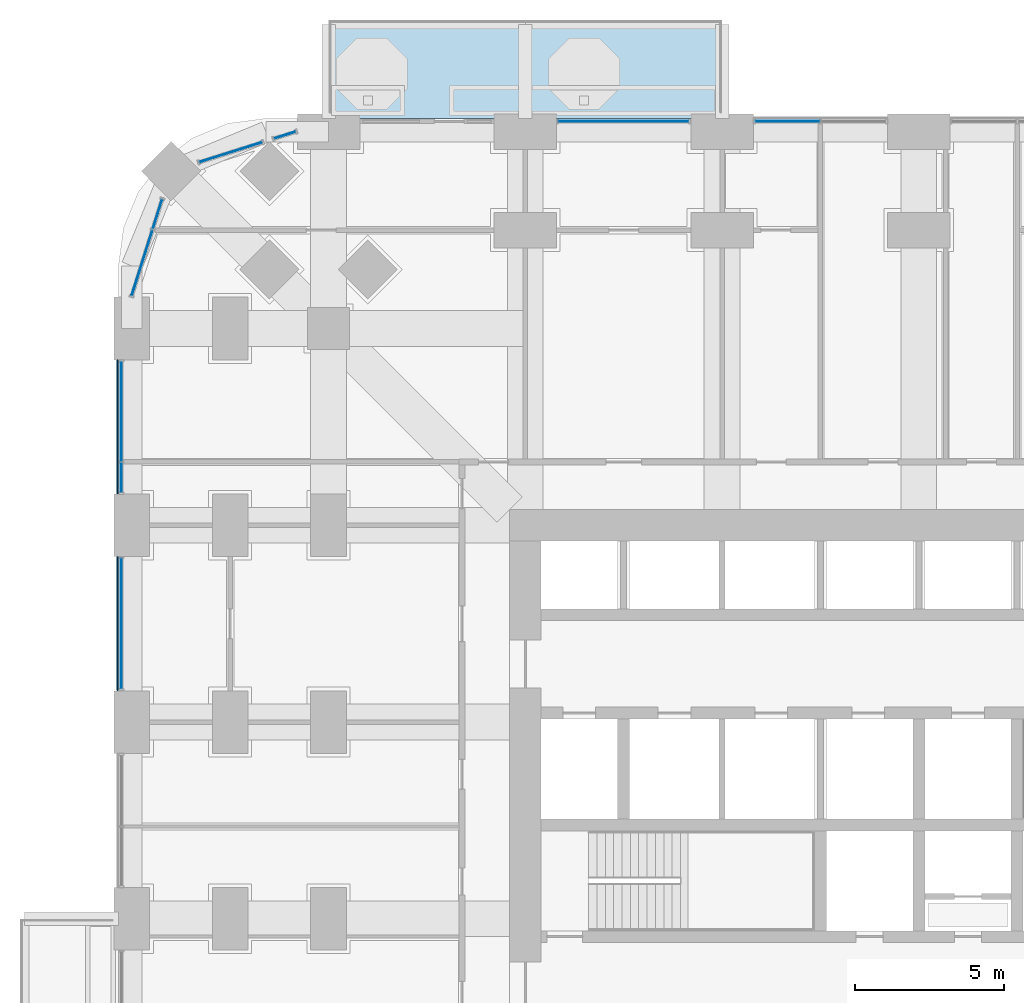
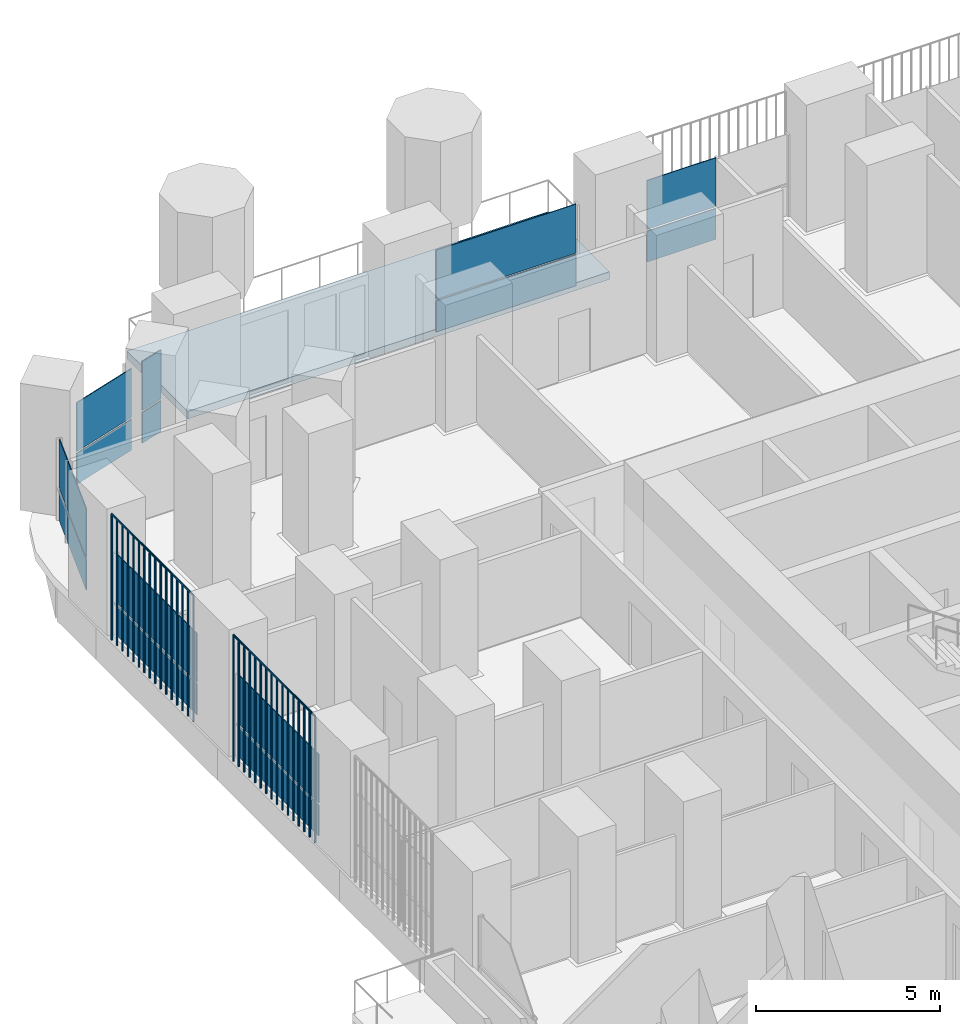
# One storey, part 15 of 27: 20 plates, 1 slab, 7 elements without a shape of their own.
"""IFC4 building model written with IfcOpenShell, lengths in metres."""

from ifc_helpers import new_model, si_unit, direction, frame, origin, origin_2d, place, context, subcontext, project, spatial, polyline, rectangle, outline, extrude, material, layer, layer_set, type_object, element, aggregate, save


model = new_model("IFC4")

# Units and contexts
model_context = context("Model", 3, precision=1e-05, world=origin(), true_north=direction((0.0, 1.0)))
body_context = subcontext(model_context, "Body", "Model", "MODEL_VIEW")
ifc_project = project(units=[si_unit("LENGTHUNIT", "METRE"), si_unit("AREAUNIT", "SQUARE_METRE"), si_unit("VOLUMEUNIT", "CUBIC_METRE"), si_unit("PLANEANGLEUNIT", "RADIAN"), si_unit("MASSUNIT", "GRAM", prefix="KILO")], contexts=[model_context])

# Site, building, storey
site_placement = place(None, origin())
site = spatial("IfcSite", under=ifc_project, at=site_placement, CompositionType="ELEMENT")
building_placement = place(site_placement, origin())
building = spatial("IfcBuilding", under=site, at=building_placement, Name="Cobogo Forest Laboratory Tower", CompositionType="ELEMENT")
storey_placement = place(building_placement, frame((0.0, 0.0, 29.699951171875)))
storey = spatial("IfcBuildingStorey", under=building, at=storey_placement, Name="L06", CompositionType="ELEMENT", Elevation=29.699951171875)

# Slab
ifc_material_1 = material(Name="Concrete HA-40 (C40/50)", Category="concrete")
ifc_layer_1 = layer(ifc_material_1, 0.25)
ifc_layer_set_1 = layer_set([ifc_layer_1], Name="Balcony slab 250")
slab_type = type_object("IfcSlabType", Name="Balcony slab 250", PredefinedType="FLOOR", material=ifc_layer_set_1)
slab_placement = place(storey_placement, frame((0.0, 0.0, -0.25)))
element("IfcSlab", 1, at=slab_placement, inside=storey, type_object=slab_type, Name="Balcony BAL-N1 L06", PredefinedType="FLOOR", context=body_context, shape_type="SweptSolid", body=[
    extrude(outline(polyline([(6.60009765625, 46.64990234375), (19.800048828125, 46.64990234375), (19.800048828125, 49.949951171875), (6.60009765625, 49.949951171875), (6.60009765625, 46.64990234375)])), origin(), (0.0, 0.0, 1.0), 0.25),
])

# Curtain wall, plates
ifc_material_2 = material(Name="Aluminium curtain wall", Category="aluminium")
curtain_wall_type = type_object("IfcCurtainWallType", Name="CW-1 unitised curtain wall, clear glazing, laboratory floors zones A and B", PredefinedType="USERDEFINED", material=ifc_material_2)
curtain_wall_1_placement = place(storey_placement, origin())
curtain_wall_1 = element("IfcCurtainWall", 2, at=curtain_wall_1_placement, inside=storey, type_object=curtain_wall_type, Name="Curtain wall 21 L06", ObjectType="UNITISED CURTAIN WALL", PredefinedType="USERDEFINED")
ifc_material_3 = material(Name="Clear insulated glass", Category="glass")
ifc_layer_2 = layer(ifc_material_3, 0.028076171875)
ifc_layer_set_2 = layer_set([ifc_layer_2], Name="GP-1 clear insulated glass unit 28")
plate_type_1 = type_object("IfcPlateType", Name="GP-1 clear insulated glass unit 28", PredefinedType="CURTAIN_PANEL", material=ifc_layer_set_2)
plate_1_placement = place(storey_placement, frame((21.989990234375, 46.550048828125, 0.0), z_axis=(0.0, 0.0, 1.0), x_axis=(-1.0, 0.0, 0.0)))
plate_1 = element("IfcPlate", 3, at=plate_1_placement, type_object=plate_type_1, Name="CW-1 panel 2.1", PredefinedType="CURTAIN_PANEL", context=body_context, shape_type="SweptSolid", body=[
    extrude(rectangle(XDim=2.159912109375, YDim=0.028076171875, at=origin_2d()), origin(), (0.0, 0.0, 1.0), 1.02001953125),
])
plate_2_placement = place(storey_placement, frame((21.989990234375, 46.550048828125, 1.080078125), z_axis=(0.0, 0.0, 1.0), x_axis=(-1.0, 0.0, 0.0)))
plate_2 = element("IfcPlate", 4, at=plate_2_placement, type_object=plate_type_1, Name="CW-1 panel 2.2", PredefinedType="CURTAIN_PANEL", context=body_context, shape_type="SweptSolid", body=[
    extrude(rectangle(XDim=2.159912109375, YDim=0.028076171875, at=origin_2d()), origin(), (0.0, 0.0, 1.0), 1.6201171875),
])
aggregate(curtain_wall_1, [plate_1, plate_2])

curtain_wall_2_placement = place(storey_placement, origin())
curtain_wall_2 = element("IfcCurtainWall", 5, at=curtain_wall_2_placement, inside=storey, type_object=curtain_wall_type, Name="Curtain wall 22 L06", ObjectType="UNITISED CURTAIN WALL", PredefinedType="USERDEFINED")
plate_3_placement = place(storey_placement, frame((16.5, 46.550048828125, 0.0), z_axis=(0.0, 0.0, 1.0), x_axis=(-1.0, 0.0, 0.0)))
plate_3 = element("IfcPlate", 6, at=plate_3_placement, type_object=plate_type_1, Name="CW-1 panel 1.1", PredefinedType="CURTAIN_PANEL", context=body_context, shape_type="SweptSolid", body=[
    extrude(rectangle(XDim=4.3798828125, YDim=0.028076171875, at=origin_2d()), origin(), (0.0, 0.0, 1.0), 1.02001953125),
])
plate_4_placement = place(storey_placement, frame((16.5, 46.550048828125, 1.080078125), z_axis=(0.0, 0.0, 1.0), x_axis=(-1.0, 0.0, 0.0)))
plate_4 = element("IfcPlate", 7, at=plate_4_placement, type_object=plate_type_1, Name="CW-1 panel 1.2", PredefinedType="CURTAIN_PANEL", context=body_context, shape_type="SweptSolid", body=[
    extrude(rectangle(XDim=4.3798828125, YDim=0.028076171875, at=origin_2d()), origin(), (0.0, 0.0, 1.0), 1.6201171875),
])
aggregate(curtain_wall_2, [plate_3, plate_4])

curtain_wall_3_placement = place(storey_placement, origin())
curtain_wall_3 = element("IfcCurtainWall", 8, at=curtain_wall_3_placement, inside=storey, type_object=curtain_wall_type, Name="Curtain wall 24 L06", ObjectType="UNITISED CURTAIN WALL", PredefinedType="USERDEFINED")
plate_5_placement = place(storey_placement, frame((5.134033203125, 46.087158203125, 0.0), z_axis=(0.0, 0.0, 1.0), x_axis=(-0.953581504428, -0.301135043481, 0.0)))
plate_5 = element("IfcPlate", 9, at=plate_5_placement, type_object=plate_type_1, Name="CW-1 panel 1.1", PredefinedType="CURTAIN_PANEL", context=body_context, shape_type="SweptSolid", body=[
    extrude(rectangle(XDim=0.75244140625, YDim=0.028076171875, at=origin_2d()), origin(), (0.0, 0.0, 1.0), 1.02001953125),
])
plate_6_placement = place(storey_placement, frame((5.134033203125, 46.087158203125, 1.080078125), z_axis=(0.0, 0.0, 1.0), x_axis=(-0.953581504428, -0.301135043481, 0.0)))
plate_6 = element("IfcPlate", 10, at=plate_6_placement, type_object=plate_type_1, Name="CW-1 panel 1.2", PredefinedType="CURTAIN_PANEL", context=body_context, shape_type="SweptSolid", body=[
    extrude(rectangle(XDim=0.75244140625, YDim=0.028076171875, at=origin_2d()), origin(), (0.0, 0.0, 1.0), 1.6201171875),
])
aggregate(curtain_wall_3, [plate_5, plate_6])

curtain_wall_4_placement = place(storey_placement, origin())
curtain_wall_4 = element("IfcCurtainWall", 11, at=curtain_wall_4_placement, inside=storey, type_object=curtain_wall_type, Name="Curtain wall 25 L06", ObjectType="UNITISED CURTAIN WALL", PredefinedType="USERDEFINED")
plate_7_placement = place(storey_placement, frame((3.31787109375, 45.513427734375, 0.0), z_axis=(0.0, 0.0, 1.0), x_axis=(-0.953581409645, -0.301135343623, 0.0)))
plate_7 = element("IfcPlate", 12, at=plate_7_placement, type_object=plate_type_1, Name="CW-1 panel 1.1", PredefinedType="CURTAIN_PANEL", context=body_context, shape_type="SweptSolid", body=[
    extrude(rectangle(XDim=2.203369140625, YDim=0.028076171875, at=origin_2d()), origin(), (0.0, 0.0, 1.0), 1.02001953125),
])
plate_8_placement = place(storey_placement, frame((3.31787109375, 45.513427734375, 1.080078125), z_axis=(0.0, 0.0, 1.0), x_axis=(-0.953581409645, -0.301135343623, 0.0)))
plate_8 = element("IfcPlate", 13, at=plate_8_placement, type_object=plate_type_1, Name="CW-1 panel 1.2", PredefinedType="CURTAIN_PANEL", context=body_context, shape_type="SweptSolid", body=[
    extrude(rectangle(XDim=2.203369140625, YDim=0.028076171875, at=origin_2d()), origin(), (0.0, 0.0, 1.0), 1.6201171875),
])
aggregate(curtain_wall_4, [plate_7, plate_8])

curtain_wall_5_placement = place(storey_placement, origin())
curtain_wall_5 = element("IfcCurtainWall", 14, at=curtain_wall_5_placement, inside=storey, type_object=curtain_wall_type, Name="Curtain wall 26 L06", ObjectType="UNITISED CURTAIN WALL", PredefinedType="USERDEFINED")
plate_9_placement = place(storey_placement, frame((0.863525390625, 43.442626953125, 0.0), z_axis=(0.0, 0.0, 1.0), x_axis=(-0.30113535792, -0.95358140513, 0.0)))
plate_9 = element("IfcPlate", 15, at=plate_9_placement, type_object=plate_type_1, Name="CW-1 panel 1.1", PredefinedType="CURTAIN_PANEL", context=body_context, shape_type="SweptSolid", body=[
    extrude(rectangle(XDim=1.027587890625, YDim=0.028076171875, at=origin_2d()), origin(), (0.0, 0.0, 1.0), 1.02001953125),
])
plate_10_placement = place(storey_placement, frame((0.863525390625, 43.442626953125, 1.080078125), z_axis=(0.0, 0.0, 1.0), x_axis=(-0.30113535792, -0.95358140513, 0.0)))
plate_10 = element("IfcPlate", 16, at=plate_10_placement, type_object=plate_type_1, Name="CW-1 panel 1.2", PredefinedType="CURTAIN_PANEL", context=body_context, shape_type="SweptSolid", body=[
    extrude(rectangle(XDim=1.027587890625, YDim=0.028076171875, at=origin_2d()), origin(), (0.0, 0.0, 1.0), 1.6201171875),
])
plate_11_placement = place(storey_placement, frame((0.34521484375, 41.80126953125, 0.0), z_axis=(0.0, 0.0, 1.0), x_axis=(-0.30113535792, -0.95358140513, 0.0)))
plate_11 = element("IfcPlate", 17, at=plate_11_placement, type_object=plate_type_1, Name="CW-1 panel 2.1", PredefinedType="CURTAIN_PANEL", context=body_context, shape_type="SweptSolid", body=[
    extrude(rectangle(XDim=2.294677734375, YDim=0.028076171875, at=origin_2d()), origin(), (0.0, 0.0, 1.0), 1.02001953125),
])
plate_12_placement = place(storey_placement, frame((0.34521484375, 41.80126953125, 1.080078125), z_axis=(0.0, 0.0, 1.0), x_axis=(-0.30113535792, -0.95358140513, 0.0)))
plate_12 = element("IfcPlate", 18, at=plate_12_placement, type_object=plate_type_1, Name="CW-1 panel 2.2", PredefinedType="CURTAIN_PANEL", context=body_context, shape_type="SweptSolid", body=[
    extrude(rectangle(XDim=2.294677734375, YDim=0.028076171875, at=origin_2d()), origin(), (0.0, 0.0, 1.0), 1.6201171875),
])
aggregate(curtain_wall_5, [plate_9, plate_10, plate_11, plate_12])

curtain_wall_6_placement = place(storey_placement, origin())
curtain_wall_6 = element("IfcCurtainWall", 19, at=curtain_wall_6_placement, inside=storey, type_object=curtain_wall_type, Name="Curtain wall 27 L06", ObjectType="UNITISED CURTAIN WALL", PredefinedType="USERDEFINED")
plate_13_placement = place(storey_placement, frame((-0.35009765625, 36.822509765625, 0.0), z_axis=(0.0, 0.0, 1.0), x_axis=(0.0, -1.0, 0.0)))
plate_13 = element("IfcPlate", 20, at=plate_13_placement, type_object=plate_type_1, Name="CW-1 panel 1.1", PredefinedType="CURTAIN_PANEL", context=body_context, shape_type="SweptSolid", body=[
    extrude(rectangle(XDim=3.3349609375, YDim=0.028076171875, at=origin_2d()), origin(), (0.0, 0.0, 1.0), 1.02001953125),
])
plate_14_placement = place(storey_placement, frame((-0.35009765625, 36.822509765625, 1.080078125), z_axis=(0.0, 0.0, 1.0), x_axis=(0.0, -1.0, 0.0)))
plate_14 = element("IfcPlate", 21, at=plate_14_placement, type_object=plate_type_1, Name="CW-1 panel 1.2", PredefinedType="CURTAIN_PANEL", context=body_context, shape_type="SweptSolid", body=[
    extrude(rectangle(XDim=3.3349609375, YDim=0.028076171875, at=origin_2d()), origin(), (0.0, 0.0, 1.0), 1.6201171875),
])
plate_15_placement = place(storey_placement, frame((-0.35009765625, 34.6025390625, 0.0), z_axis=(0.0, 0.0, 1.0), x_axis=(0.0, -1.0, 0.0)))
plate_15 = element("IfcPlate", 22, at=plate_15_placement, type_object=plate_type_1, Name="CW-1 panel 2.1", PredefinedType="CURTAIN_PANEL", context=body_context, shape_type="SweptSolid", body=[
    extrude(rectangle(XDim=0.985107421875, YDim=0.028076171875, at=origin_2d()), origin(), (0.0, 0.0, 1.0), 1.02001953125),
])
plate_16_placement = place(storey_placement, frame((-0.35009765625, 34.6025390625, 1.080078125), z_axis=(0.0, 0.0, 1.0), x_axis=(0.0, -1.0, 0.0)))
plate_16 = element("IfcPlate", 23, at=plate_16_placement, type_object=plate_type_1, Name="CW-1 panel 2.2", PredefinedType="CURTAIN_PANEL", context=body_context, shape_type="SweptSolid", body=[
    extrude(rectangle(XDim=0.985107421875, YDim=0.028076171875, at=origin_2d()), origin(), (0.0, 0.0, 1.0), 1.6201171875),
])
aggregate(curtain_wall_6, [plate_13, plate_14, plate_15, plate_16])

curtain_wall_7_placement = place(storey_placement, origin())
curtain_wall_7 = element("IfcCurtainWall", 24, at=curtain_wall_7_placement, inside=storey, type_object=curtain_wall_type, Name="Curtain wall 28 L06", ObjectType="UNITISED CURTAIN WALL", PredefinedType="USERDEFINED")
plate_17_placement = place(storey_placement, frame((-0.35009765625, 29.699951171875, 0.0), z_axis=(0.0, 0.0, 1.0), x_axis=(0.0, -1.0, 0.0)))
plate_17 = element("IfcPlate", 25, at=plate_17_placement, type_object=plate_type_1, Name="CW-1 panel 1.1", PredefinedType="CURTAIN_PANEL", context=body_context, shape_type="SweptSolid", body=[
    extrude(rectangle(XDim=4.3798828125, YDim=0.028076171875, at=origin_2d()), origin(), (0.0, 0.0, 1.0), 1.02001953125),
])
plate_18_placement = place(storey_placement, frame((-0.35009765625, 29.699951171875, 1.080078125), z_axis=(0.0, 0.0, 1.0), x_axis=(0.0, -1.0, 0.0)))
plate_18 = element("IfcPlate", 26, at=plate_18_placement, type_object=plate_type_1, Name="CW-1 panel 1.2", PredefinedType="CURTAIN_PANEL", context=body_context, shape_type="SweptSolid", body=[
    extrude(rectangle(XDim=4.3798828125, YDim=0.028076171875, at=origin_2d()), origin(), (0.0, 0.0, 1.0), 1.6201171875),
])
aggregate(curtain_wall_7, [plate_17, plate_18])

# Plates
ifc_material_4 = material(Name="Terracotta", Category="masonry")
plate_type_2 = type_object("IfcPlateType", Name="TB1 terracotta baguette screen", PredefinedType="USERDEFINED", material=ifc_material_4)
plate_19_placement = place(storey_placement, frame((-0.477783203125, 27.481201171875, -0.14990234375)))
element("IfcPlate", 27, at=plate_19_placement, inside=storey, type_object=plate_type_2, Name="Baguette screen W4 L06", ObjectType="BAGUETTE SCREEN", PredefinedType="USERDEFINED", context=body_context, shape_type="SweptSolid", body=[
    extrude(outline(polyline([(0.02880859375, 0.011962890625), (0.011962890625, 0.02880859375), (-0.011962890625, 0.02880859375), (-0.02880859375, 0.011962890625), (-0.02880859375, -0.011962890625), (-0.011962890625, -0.02880859375), (0.011962890625, -0.02880859375), (0.02880859375, -0.011962890625), (0.02880859375, 0.011962890625)])), frame((0.0, 0.0, 4.168701171875), z_axis=(0.0, 1.0, 0.0), x_axis=(-1.0, 0.0, 0.0)), (0.0, 0.0, 1.0), 4.4375),
    extrude(outline(polyline([(0.02880859375, 0.011962890625), (0.011962890625, 0.02880859375), (-0.011962890625, 0.02880859375), (-0.02880859375, 0.011962890625), (-0.02880859375, -0.011962890625), (-0.011962890625, -0.02880859375), (0.011962890625, -0.02880859375), (0.02880859375, -0.011962890625), (0.02880859375, 0.011962890625)])), origin(), (0.0, 0.0, 1.0), 4.137451171875),
    extrude(outline(polyline([(0.02880859375, 0.011962890625), (0.011962890625, 0.02880859375), (-0.011962890625, 0.02880859375), (-0.02880859375, 0.011962890625), (-0.02880859375, -0.011962890625), (-0.011962890625, -0.02880859375), (0.011962890625, -0.02880859375), (0.02880859375, -0.011962890625), (0.02880859375, 0.011962890625)])), frame((0.0, 0.2958984375, 0.0)), (0.0, 0.0, 1.0), 4.137451171875),
    extrude(outline(polyline([(0.02880859375, 0.011962890625), (0.011962890625, 0.02880859375), (-0.011962890625, 0.02880859375), (-0.02880859375, 0.011962890625), (-0.02880859375, -0.011962890625), (-0.011962890625, -0.02880859375), (0.011962890625, -0.02880859375), (0.02880859375, -0.011962890625), (0.02880859375, 0.011962890625)])), frame((0.0, 0.591552734375, 0.0)), (0.0, 0.0, 1.0), 4.137451171875),
    extrude(outline(polyline([(0.02880859375, 0.011962890625), (0.011962890625, 0.02880859375), (-0.011962890625, 0.02880859375), (-0.02880859375, 0.011962890625), (-0.02880859375, -0.011962890625), (-0.011962890625, -0.02880859375), (0.011962890625, -0.02880859375), (0.02880859375, -0.011962890625), (0.02880859375, 0.011962890625)])), frame((0.0, 0.887451171875, 0.0)), (0.0, 0.0, 1.0), 4.137451171875),
    extrude(outline(polyline([(0.02880859375, 0.011962890625), (0.011962890625, 0.02880859375), (-0.011962890625, 0.02880859375), (-0.02880859375, 0.011962890625), (-0.02880859375, -0.011962890625), (-0.011962890625, -0.02880859375), (0.011962890625, -0.02880859375), (0.02880859375, -0.011962890625), (0.02880859375, 0.011962890625)])), frame((0.0, 1.183349609375, 0.0)), (0.0, 0.0, 1.0), 4.137451171875),
    extrude(outline(polyline([(0.02880859375, 0.011962890625), (0.011962890625, 0.02880859375), (-0.011962890625, 0.02880859375), (-0.02880859375, 0.011962890625), (-0.02880859375, -0.011962890625), (-0.011962890625, -0.02880859375), (0.011962890625, -0.02880859375), (0.02880859375, -0.011962890625), (0.02880859375, 0.011962890625)])), frame((0.0, 1.479248046875, 0.0)), (0.0, 0.0, 1.0), 4.137451171875),
    extrude(outline(polyline([(0.02880859375, 0.011962890625), (0.011962890625, 0.02880859375), (-0.011962890625, 0.02880859375), (-0.02880859375, 0.011962890625), (-0.02880859375, -0.011962890625), (-0.011962890625, -0.02880859375), (0.011962890625, -0.02880859375), (0.02880859375, -0.011962890625), (0.02880859375, 0.011962890625)])), frame((0.0, 1.77490234375, 0.0)), (0.0, 0.0, 1.0), 4.137451171875),
    extrude(outline(polyline([(0.02880859375, 0.011962890625), (0.011962890625, 0.02880859375), (-0.011962890625, 0.02880859375), (-0.02880859375, 0.011962890625), (-0.02880859375, -0.011962890625), (-0.011962890625, -0.02880859375), (0.011962890625, -0.02880859375), (0.02880859375, -0.011962890625), (0.02880859375, 0.011962890625)])), frame((0.0, 2.07080078125, 0.0)), (0.0, 0.0, 1.0), 4.137451171875),
    extrude(outline(polyline([(0.02880859375, 0.011962890625), (0.011962890625, 0.02880859375), (-0.011962890625, 0.02880859375), (-0.02880859375, 0.011962890625), (-0.02880859375, -0.011962890625), (-0.011962890625, -0.02880859375), (0.011962890625, -0.02880859375), (0.02880859375, -0.011962890625), (0.02880859375, 0.011962890625)])), frame((0.0, 2.36669921875, 0.0)), (0.0, 0.0, 1.0), 4.137451171875),
    extrude(outline(polyline([(0.02880859375, 0.011962890625), (0.011962890625, 0.02880859375), (-0.011962890625, 0.02880859375), (-0.02880859375, 0.011962890625), (-0.02880859375, -0.011962890625), (-0.011962890625, -0.02880859375), (0.011962890625, -0.02880859375), (0.02880859375, -0.011962890625), (0.02880859375, 0.011962890625)])), frame((0.0, 2.66259765625, 0.0)), (0.0, 0.0, 1.0), 4.137451171875),
    extrude(outline(polyline([(0.02880859375, 0.011962890625), (0.011962890625, 0.02880859375), (-0.011962890625, 0.02880859375), (-0.02880859375, 0.011962890625), (-0.02880859375, -0.011962890625), (-0.011962890625, -0.02880859375), (0.011962890625, -0.02880859375), (0.02880859375, -0.011962890625), (0.02880859375, 0.011962890625)])), frame((0.0, 2.958251953125, 0.0)), (0.0, 0.0, 1.0), 4.137451171875),
    extrude(outline(polyline([(0.02880859375, 0.011962890625), (0.011962890625, 0.02880859375), (-0.011962890625, 0.02880859375), (-0.02880859375, 0.011962890625), (-0.02880859375, -0.011962890625), (-0.011962890625, -0.02880859375), (0.011962890625, -0.02880859375), (0.02880859375, -0.011962890625), (0.02880859375, 0.011962890625)])), frame((0.0, 3.254150390625, 0.0)), (0.0, 0.0, 1.0), 4.137451171875),
    extrude(outline(polyline([(0.02880859375, 0.011962890625), (0.011962890625, 0.02880859375), (-0.011962890625, 0.02880859375), (-0.02880859375, 0.011962890625), (-0.02880859375, -0.011962890625), (-0.011962890625, -0.02880859375), (0.011962890625, -0.02880859375), (0.02880859375, -0.011962890625), (0.02880859375, 0.011962890625)])), frame((0.0, 3.550048828125, 0.0)), (0.0, 0.0, 1.0), 4.137451171875),
    extrude(outline(polyline([(0.02880859375, 0.011962890625), (0.011962890625, 0.02880859375), (-0.011962890625, 0.02880859375), (-0.02880859375, 0.011962890625), (-0.02880859375, -0.011962890625), (-0.011962890625, -0.02880859375), (0.011962890625, -0.02880859375), (0.02880859375, -0.011962890625), (0.02880859375, 0.011962890625)])), frame((0.0, 3.845947265625, 0.0)), (0.0, 0.0, 1.0), 4.137451171875),
    extrude(outline(polyline([(0.02880859375, 0.011962890625), (0.011962890625, 0.02880859375), (-0.011962890625, 0.02880859375), (-0.02880859375, 0.011962890625), (-0.02880859375, -0.011962890625), (-0.011962890625, -0.02880859375), (0.011962890625, -0.02880859375), (0.02880859375, -0.011962890625), (0.02880859375, 0.011962890625)])), frame((0.0, 4.1416015625, 0.0)), (0.0, 0.0, 1.0), 4.137451171875),
    extrude(outline(polyline([(0.02880859375, 0.011962890625), (0.011962890625, 0.02880859375), (-0.011962890625, 0.02880859375), (-0.02880859375, 0.011962890625), (-0.02880859375, -0.011962890625), (-0.011962890625, -0.02880859375), (0.011962890625, -0.02880859375), (0.02880859375, -0.011962890625), (0.02880859375, 0.011962890625)])), frame((0.0, 4.4375, 0.0)), (0.0, 0.0, 1.0), 4.137451171875),
])
plate_20_placement = place(storey_placement, frame((-0.477783203125, 34.081298828125, -0.14990234375)))
element("IfcPlate", 28, at=plate_20_placement, inside=storey, type_object=plate_type_2, Name="Baguette screen W5 L06", ObjectType="BAGUETTE SCREEN", PredefinedType="USERDEFINED", context=body_context, shape_type="SweptSolid", body=[
    extrude(outline(polyline([(0.02880859375, 0.011962890625), (0.011962890625, 0.02880859375), (-0.011962890625, 0.02880859375), (-0.02880859375, 0.011962890625), (-0.02880859375, -0.011962890625), (-0.011962890625, -0.02880859375), (0.011962890625, -0.02880859375), (0.02880859375, -0.011962890625), (0.02880859375, 0.011962890625)])), frame((0.0, 0.0, 4.168701171875), z_axis=(0.0, 1.0, 0.0), x_axis=(-1.0, 0.0, 0.0)), (0.0, 0.0, 1.0), 4.4375),
    extrude(outline(polyline([(0.02880859375, 0.011962890625), (0.011962890625, 0.02880859375), (-0.011962890625, 0.02880859375), (-0.02880859375, 0.011962890625), (-0.02880859375, -0.011962890625), (-0.011962890625, -0.02880859375), (0.011962890625, -0.02880859375), (0.02880859375, -0.011962890625), (0.02880859375, 0.011962890625)])), origin(), (0.0, 0.0, 1.0), 4.137451171875),
    extrude(outline(polyline([(0.02880859375, 0.011962890625), (0.011962890625, 0.02880859375), (-0.011962890625, 0.02880859375), (-0.02880859375, 0.011962890625), (-0.02880859375, -0.011962890625), (-0.011962890625, -0.02880859375), (0.011962890625, -0.02880859375), (0.02880859375, -0.011962890625), (0.02880859375, 0.011962890625)])), frame((0.0, 0.2958984375, 0.0)), (0.0, 0.0, 1.0), 4.137451171875),
    extrude(outline(polyline([(0.02880859375, 0.011962890625), (0.011962890625, 0.02880859375), (-0.011962890625, 0.02880859375), (-0.02880859375, 0.011962890625), (-0.02880859375, -0.011962890625), (-0.011962890625, -0.02880859375), (0.011962890625, -0.02880859375), (0.02880859375, -0.011962890625), (0.02880859375, 0.011962890625)])), frame((0.0, 0.591552734375, 0.0)), (0.0, 0.0, 1.0), 4.137451171875),
    extrude(outline(polyline([(0.02880859375, 0.011962890625), (0.011962890625, 0.02880859375), (-0.011962890625, 0.02880859375), (-0.02880859375, 0.011962890625), (-0.02880859375, -0.011962890625), (-0.011962890625, -0.02880859375), (0.011962890625, -0.02880859375), (0.02880859375, -0.011962890625), (0.02880859375, 0.011962890625)])), frame((0.0, 0.887451171875, 0.0)), (0.0, 0.0, 1.0), 4.137451171875),
    extrude(outline(polyline([(0.02880859375, 0.011962890625), (0.011962890625, 0.02880859375), (-0.011962890625, 0.02880859375), (-0.02880859375, 0.011962890625), (-0.02880859375, -0.011962890625), (-0.011962890625, -0.02880859375), (0.011962890625, -0.02880859375), (0.02880859375, -0.011962890625), (0.02880859375, 0.011962890625)])), frame((0.0, 1.183349609375, 0.0)), (0.0, 0.0, 1.0), 4.137451171875),
    extrude(outline(polyline([(0.02880859375, 0.011962890625), (0.011962890625, 0.02880859375), (-0.011962890625, 0.02880859375), (-0.02880859375, 0.011962890625), (-0.02880859375, -0.011962890625), (-0.011962890625, -0.02880859375), (0.011962890625, -0.02880859375), (0.02880859375, -0.011962890625), (0.02880859375, 0.011962890625)])), frame((0.0, 1.479248046875, 0.0)), (0.0, 0.0, 1.0), 4.137451171875),
    extrude(outline(polyline([(0.02880859375, 0.011962890625), (0.011962890625, 0.02880859375), (-0.011962890625, 0.02880859375), (-0.02880859375, 0.011962890625), (-0.02880859375, -0.011962890625), (-0.011962890625, -0.02880859375), (0.011962890625, -0.02880859375), (0.02880859375, -0.011962890625), (0.02880859375, 0.011962890625)])), frame((0.0, 1.77490234375, 0.0)), (0.0, 0.0, 1.0), 4.137451171875),
    extrude(outline(polyline([(0.02880859375, 0.011962890625), (0.011962890625, 0.02880859375), (-0.011962890625, 0.02880859375), (-0.02880859375, 0.011962890625), (-0.02880859375, -0.011962890625), (-0.011962890625, -0.02880859375), (0.011962890625, -0.02880859375), (0.02880859375, -0.011962890625), (0.02880859375, 0.011962890625)])), frame((0.0, 2.07080078125, 0.0)), (0.0, 0.0, 1.0), 4.137451171875),
    extrude(outline(polyline([(0.02880859375, 0.011962890625), (0.011962890625, 0.02880859375), (-0.011962890625, 0.02880859375), (-0.02880859375, 0.011962890625), (-0.02880859375, -0.011962890625), (-0.011962890625, -0.02880859375), (0.011962890625, -0.02880859375), (0.02880859375, -0.011962890625), (0.02880859375, 0.011962890625)])), frame((0.0, 2.36669921875, 0.0)), (0.0, 0.0, 1.0), 4.137451171875),
    extrude(outline(polyline([(0.02880859375, 0.011962890625), (0.011962890625, 0.02880859375), (-0.011962890625, 0.02880859375), (-0.02880859375, 0.011962890625), (-0.02880859375, -0.011962890625), (-0.011962890625, -0.02880859375), (0.011962890625, -0.02880859375), (0.02880859375, -0.011962890625), (0.02880859375, 0.011962890625)])), frame((0.0, 2.66259765625, 0.0)), (0.0, 0.0, 1.0), 4.137451171875),
    extrude(outline(polyline([(0.02880859375, 0.011962890625), (0.011962890625, 0.02880859375), (-0.011962890625, 0.02880859375), (-0.02880859375, 0.011962890625), (-0.02880859375, -0.011962890625), (-0.011962890625, -0.02880859375), (0.011962890625, -0.02880859375), (0.02880859375, -0.011962890625), (0.02880859375, 0.011962890625)])), frame((0.0, 2.958251953125, 0.0)), (0.0, 0.0, 1.0), 4.137451171875),
    extrude(outline(polyline([(0.02880859375, 0.011962890625), (0.011962890625, 0.02880859375), (-0.011962890625, 0.02880859375), (-0.02880859375, 0.011962890625), (-0.02880859375, -0.011962890625), (-0.011962890625, -0.02880859375), (0.011962890625, -0.02880859375), (0.02880859375, -0.011962890625), (0.02880859375, 0.011962890625)])), frame((0.0, 3.254150390625, 0.0)), (0.0, 0.0, 1.0), 4.137451171875),
    extrude(outline(polyline([(0.02880859375, 0.011962890625), (0.011962890625, 0.02880859375), (-0.011962890625, 0.02880859375), (-0.02880859375, 0.011962890625), (-0.02880859375, -0.011962890625), (-0.011962890625, -0.02880859375), (0.011962890625, -0.02880859375), (0.02880859375, -0.011962890625), (0.02880859375, 0.011962890625)])), frame((0.0, 3.550048828125, 0.0)), (0.0, 0.0, 1.0), 4.137451171875),
    extrude(outline(polyline([(0.02880859375, 0.011962890625), (0.011962890625, 0.02880859375), (-0.011962890625, 0.02880859375), (-0.02880859375, 0.011962890625), (-0.02880859375, -0.011962890625), (-0.011962890625, -0.02880859375), (0.011962890625, -0.02880859375), (0.02880859375, -0.011962890625), (0.02880859375, 0.011962890625)])), frame((0.0, 3.845947265625, 0.0)), (0.0, 0.0, 1.0), 4.137451171875),
    extrude(outline(polyline([(0.02880859375, 0.011962890625), (0.011962890625, 0.02880859375), (-0.011962890625, 0.02880859375), (-0.02880859375, 0.011962890625), (-0.02880859375, -0.011962890625), (-0.011962890625, -0.02880859375), (0.011962890625, -0.02880859375), (0.02880859375, -0.011962890625), (0.02880859375, 0.011962890625)])), frame((0.0, 4.1416015625, 0.0)), (0.0, 0.0, 1.0), 4.137451171875),
    extrude(outline(polyline([(0.02880859375, 0.011962890625), (0.011962890625, 0.02880859375), (-0.011962890625, 0.02880859375), (-0.02880859375, 0.011962890625), (-0.02880859375, -0.011962890625), (-0.011962890625, -0.02880859375), (0.011962890625, -0.02880859375), (0.02880859375, -0.011962890625), (0.02880859375, 0.011962890625)])), frame((0.0, 4.4375, 0.0)), (0.0, 0.0, 1.0), 4.137451171875),
])

save(model, "model.ifc")
